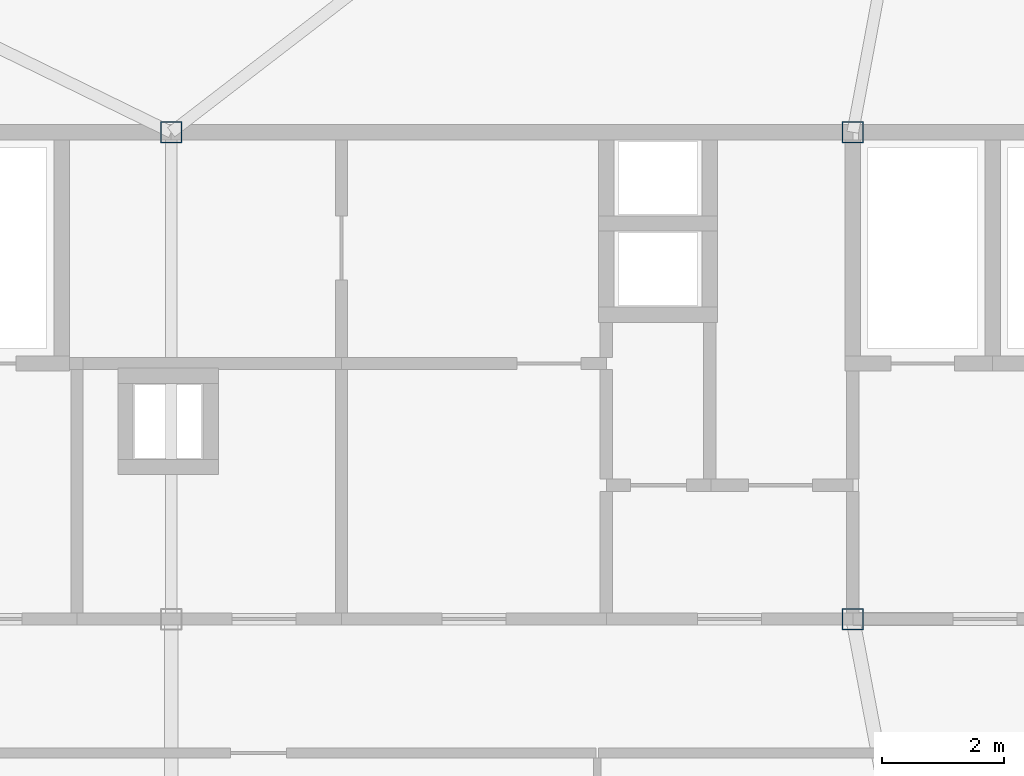
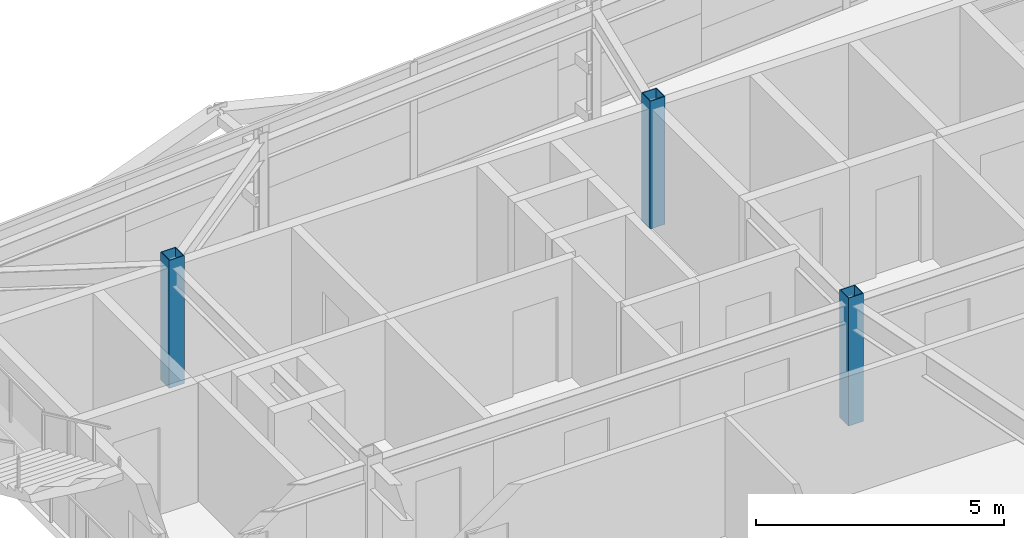
# One storey, part 3 of 37: 3 columns.
"""IFC4 building model written with IfcOpenShell, lengths in metres."""

from ifc_helpers import new_model, si_unit, direction, frame, origin, origin_2d, place, context, subcontext, project, spatial, hollow_rectangle, extrude, source, transform, mapped, material, material_profile, profile_set, type_object, element, save


model = new_model("IFC4")

# Units and contexts
model_context = context("Model", 3, precision=1e-05, world=origin(), true_north=direction((0.0, 1.0)))
body_context = subcontext(model_context, "Body", "Model", "MODEL_VIEW")
ifc_project = project(units=[si_unit("LENGTHUNIT", "METRE"), si_unit("AREAUNIT", "SQUARE_METRE"), si_unit("VOLUMEUNIT", "CUBIC_METRE"), si_unit("PLANEANGLEUNIT", "RADIAN"), si_unit("MASSUNIT", "GRAM", prefix="KILO")], contexts=[model_context])

# Site, building, storey
site_placement = place(None, origin())
site = spatial("IfcSite", under=ifc_project, at=site_placement, CompositionType="ELEMENT")
building_placement = place(site_placement, origin())
building = spatial("IfcBuilding", under=site, at=building_placement, Name="Taldren Reach Tower", CompositionType="ELEMENT")
storey_placement = place(building_placement, frame((0.0, 0.0, 200.89990234375)))
storey = spatial("IfcBuildingStorey", under=building, at=storey_placement, Name="L61", CompositionType="ELEMENT", Elevation=200.89990234375)

# Columns
ifc_material = material(Name="Steel Gr 450 (C450L0)", Category="steel")
ifc_material_profile = material_profile(ifc_material, hollow_rectangle(XDim=0.35009765625, YDim=0.35009765625, WallThickness=0.01611328125, at=origin_2d()), Name="350x350x16.0SHS")
ifc_profile_set = profile_set([ifc_material_profile], Name="Steel Gr 450 (C450L0)")
column_type = type_object("IfcColumnType", Name="COL-SHS350", PredefinedType="COLUMN", material=ifc_profile_set)
shared_shape = source(origin(), body_context, "Body", "SweptSolid", [
    extrude(hollow_rectangle(XDim=0.35009765625, YDim=0.35009765625, WallThickness=0.01611328125, at=origin_2d()), origin(), (0.0, 0.0, 1.0), 3.150146484375),
])
for number, where, z_axis, x_axis, name in (
    (1, (39.199951171875, 24.0, 0.0), (0.0, 0.0, 1.0), (1.0, 0.0, 0.0), "Mega column MC-C3 L61"),
    (2, (28.0, 32.0, 0.0), (0.0, 0.0, 1.0), (1.0, 0.0, 0.0), "Mega column MC-C6 L61"),
    (3, (39.199951171875, 32.0, 0.0), (0.0, 0.0, 1.0), (1.0, 0.0, 0.0), "Mega column MC-C7 L61"),
):
    element("IfcColumn", number, at=place(storey_placement, frame(where, z_axis=z_axis, x_axis=x_axis)), inside=storey, type_object=column_type, Name=name, PredefinedType="COLUMN", context=body_context, shape_type="MappedRepresentation", body=[
        mapped(shared_shape, transform((0.0, 0.0, 0.0), scale=1.0)),
    ])

save(model, "model.ifc")
